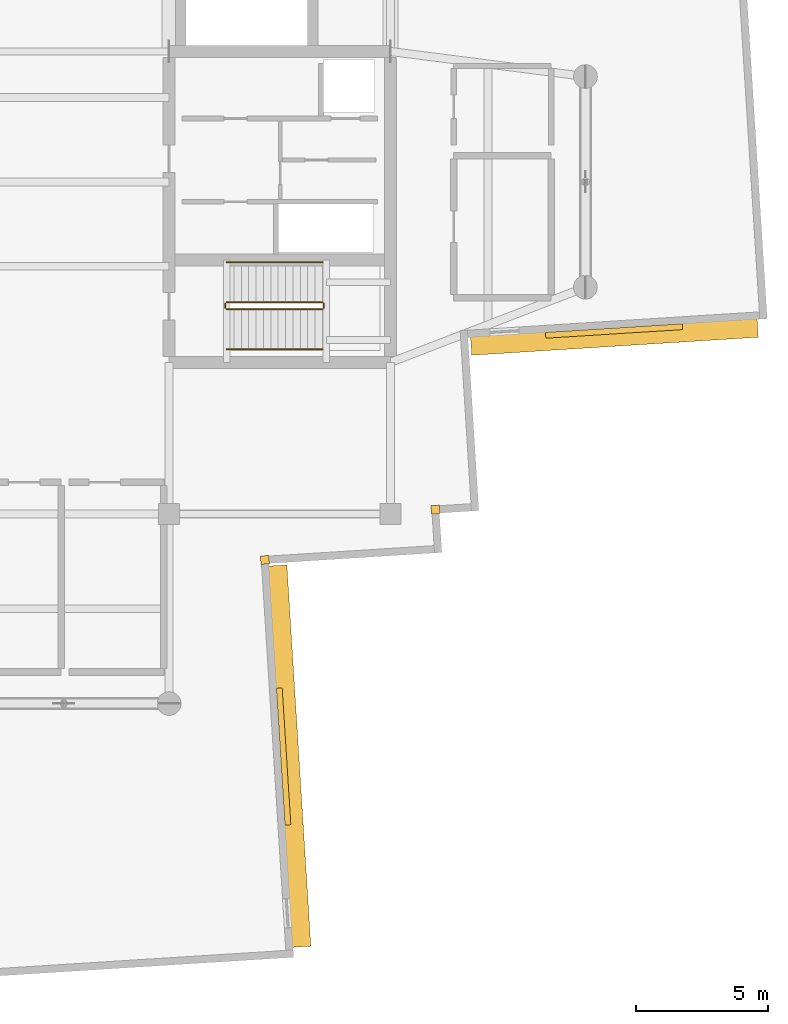
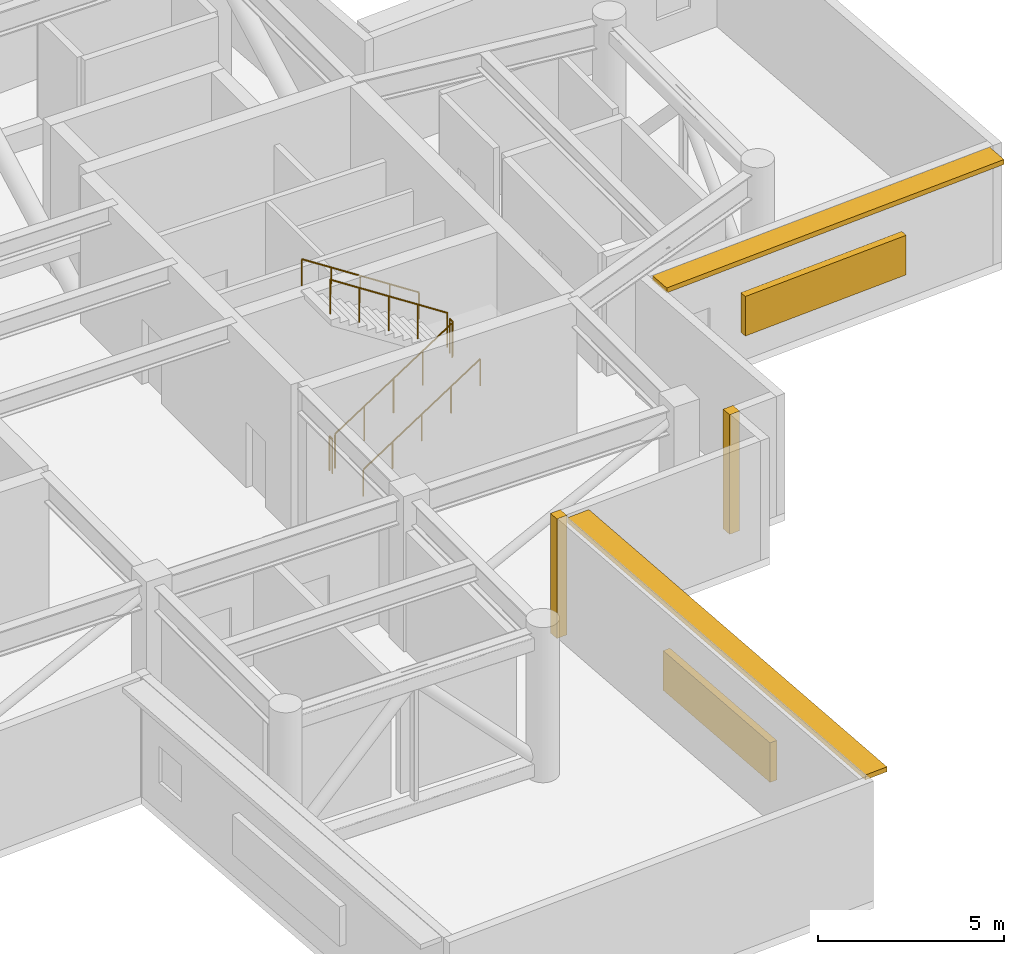
# One storey, part 12 of 14: 6 railings, 4 shading devices, 2 coverings.
"""IFC4 building model written with IfcOpenShell, lengths in metres."""

from ifc_helpers import new_model, si_unit, direction, frame, origin, origin_2d, place, context, subcontext, project, spatial, rectangle, circle, extrude, material, layer, layer_set, type_object, element, save


model = new_model("IFC4")

# Units and contexts
model_context = context("Model", 3, precision=1e-05, world=origin(), true_north=direction((0.0, 1.0)))
body_context = subcontext(model_context, "Body", "Model", "MODEL_VIEW")
ifc_project = project(units=[si_unit("LENGTHUNIT", "METRE"), si_unit("AREAUNIT", "SQUARE_METRE"), si_unit("VOLUMEUNIT", "CUBIC_METRE"), si_unit("PLANEANGLEUNIT", "RADIAN"), si_unit("MASSUNIT", "GRAM", prefix="KILO")], contexts=[model_context])

# Site, building, storey
site_placement = place(None, origin())
site = spatial("IfcSite", under=ifc_project, at=site_placement, CompositionType="ELEMENT")
building_placement = place(site_placement, origin())
building = spatial("IfcBuilding", under=site, at=building_placement, Name="Qingluan Cross Belvedere", CompositionType="ELEMENT")
storey_placement = place(building_placement, frame((0.0, 0.0, 288.89990234375)))
storey = spatial("IfcBuildingStorey", under=building, at=storey_placement, Name="L72", CompositionType="ELEMENT", Elevation=288.89990234375)

# Coverings
ifc_material_1 = material(Name="Precast concrete C45", Category="concrete")
ifc_layer_1 = layer(ifc_material_1, 0.1201171875, Name="ConcreteSpandrelCladding_120")
ifc_layer_set_1 = layer_set([ifc_layer_1], Name="Precast concrete C45")
covering_type = type_object("IfcCoveringType", Name="ConcreteSpandrelCladding_120", PredefinedType="CLADDING", material=ifc_layer_set_1)
for number, where, z_axis, x_axis, name in (
    (1, (14.10888671875, -12.438720703125, 0.0), (0.0, 0.0, 1.0), (0.998026728428, 0.062790519529, 0.0), "Corner closure L72-SE1"),
    (2, (7.635986328125, -14.348876953125, 0.0), (0.0, 0.0, 1.0), (0.998026728428, 0.062790519529, 0.0), "Corner closure L72-SE2"),
):
    element("IfcCovering", number, at=place(storey_placement, frame(where, z_axis=z_axis, x_axis=x_axis)), inside=storey, type_object=covering_type, Name=name, PredefinedType="CLADDING", context=body_context, shape_type="SweptSolid", body=[
        extrude(rectangle(XDim=0.320068359375, YDim=0.320068359375, at=origin_2d()), origin(), (0.0, 0.0, 1.0), 3.929931640625),
    ])

# Shading devices
ifc_material_2 = material(Name="Precast concrete C45", Category="concrete")
ifc_layer_2 = layer(ifc_material_2, 0.139892578125, Name="ConcreteSunshadeBand_700")
ifc_layer_set_2 = layer_set([ifc_layer_2], Name="Precast concrete C45")
shading_device_type_1 = type_object("IfcShadingDeviceType", Name="ConcreteSunshadeBand_700", PredefinedType="USERDEFINED", material=ifc_layer_set_2)
shading_device_1_placement = place(storey_placement, frame((20.901123046875, -5.88916015625, 3.75), z_axis=(0.0, 0.0, 1.0), x_axis=(0.99802715169, 0.062783791618, 0.0)))
element("IfcShadingDevice", 3, at=shading_device_1_placement, inside=storey, type_object=shading_device_type_1, Name="Concrete SUNSHADE L72-EA", ObjectType="SUNSHADE", PredefinedType="USERDEFINED", context=body_context, shape_type="SweptSolid", body=[
    extrude(rectangle(XDim=10.89990234375, YDim=0.699951171875, at=origin_2d()), origin(), (0.0, 0.0, 1.0), 0.159912109375),
])
shading_device_2_placement = place(storey_placement, frame((8.575439453125, -21.794677734375, 3.75), z_axis=(0.0, 0.0, 1.0), x_axis=(-0.062795866837, 0.99802639199, 0.0)))
element("IfcShadingDevice", 4, at=shading_device_2_placement, inside=storey, type_object=shading_device_type_1, Name="Concrete SUNSHADE L72-SB", ObjectType="SUNSHADE", PredefinedType="USERDEFINED", context=body_context, shape_type="SweptSolid", body=[
    extrude(rectangle(XDim=14.5, YDim=0.699951171875, at=origin_2d()), origin(), (0.0, 0.0, 1.0), 0.159912109375),
])
ifc_material_3 = material(Name="Anodised aluminium acoustic louvre screen", Category="aluminium")
ifc_layer_3 = layer(ifc_material_3, 0.219970703125, Name="RefugeAcousticLouvre_Screen")
ifc_layer_set_3 = layer_set([ifc_layer_3], Name="Anodised aluminium acoustic louvre screen")
shading_device_type_2 = type_object("IfcShadingDeviceType", Name="RefugeAcousticLouvre_Screen", PredefinedType="JALOUSIE", material=ifc_layer_set_3)
for number, where, z_axis, x_axis, name in (
    (5, (20.88671875, -5.65966796875, 0.9501953125), (0.0, 0.0, 1.0), (0.99802715169, 0.062783791618, 0.0), "Plant acoustic louvre SCREEN L72-EA"),
    (6, (8.345947265625, -21.80908203125, 0.9501953125), (0.0, 0.0, 1.0), (-0.062795866837, 0.99802639199, 0.0), "Plant acoustic louvre SCREEN L72-SB"),
):
    element("IfcShadingDevice", number, at=place(storey_placement, frame(where, z_axis=z_axis, x_axis=x_axis)), inside=storey, type_object=shading_device_type_2, Name=name, PredefinedType="JALOUSIE", context=body_context, shape_type="SweptSolid", body=[
        extrude(rectangle(XDim=5.199951171875, YDim=0.219970703125, at=origin_2d()), origin(), (0.0, 0.0, 1.0), 1.300048828125),
    ])

# Railings
ifc_material_4 = material(Name="Brushed stainless steel tubular handrail", Category="steel")
railing_type_1 = type_object("IfcRailingType", Name="StairPitchHandrail_900", PredefinedType="HANDRAIL", material=ifc_material_4)
railing_1_placement = place(storey_placement, frame((6.179931640625, -6.35009765625, 0.18212890625)))
element("IfcRailing", 7, at=railing_1_placement, inside=storey, type_object=railing_type_1, Name="L72 ST2 stair handrail 1", PredefinedType="HANDRAIL", context=body_context, shape_type="SweptSolid", body=[
    extrude(circle(Radius=0.02392578125, at=origin_2d()), frame((0.0, 0.0, 0.8759765625), z_axis=(0.83825089185, 0.0, 0.545284735081), x_axis=(0.0, 1.0, 0.0)), (0.0, 0.0, 1.0), 4.342529296875),
    extrude(circle(Radius=0.02099609375, at=origin_2d()), origin(), (0.0, 0.0, 1.0), 0.851806640625),
    extrude(circle(Radius=0.02099609375, at=origin_2d()), frame((0.91015625, 0.0, 0.592041015625)), (0.0, 0.0, 1.0), 0.851806640625),
    extrude(circle(Radius=0.02099609375, at=origin_2d()), frame((1.820068359375, 0.0, 1.18408203125)), (0.0, 0.0, 1.0), 0.851806640625),
    extrude(circle(Radius=0.02099609375, at=origin_2d()), frame((2.72998046875, 0.0, 1.77587890625)), (0.0, 0.0, 1.0), 0.851806640625),
    extrude(circle(Radius=0.02099609375, at=origin_2d()), frame((3.64013671875, 0.0, 2.367919921875)), (0.0, 0.0, 1.0), 0.851806640625),
])
railing_2_placement = place(storey_placement, frame((9.820068359375, -3.050048828125, 2.732177734375)))
element("IfcRailing", 8, at=railing_2_placement, inside=storey, type_object=railing_type_1, Name="L72 ST2 stair handrail 2", PredefinedType="HANDRAIL", context=body_context, shape_type="SweptSolid", body=[
    extrude(circle(Radius=0.02392578125, at=origin_2d()), frame((0.0, 0.0, 0.8759765625), z_axis=(-0.83825089185, 0.0, 0.545284735081), x_axis=(0.0, -1.0, 0.0)), (0.0, 0.0, 1.0), 4.342529296875),
    extrude(circle(Radius=0.02099609375, at=origin_2d()), origin(), (0.0, 0.0, 1.0), 0.851806640625),
    extrude(circle(Radius=0.02099609375, at=origin_2d()), frame((-0.91015625, 0.0, 0.592041015625)), (0.0, 0.0, 1.0), 0.851806640625),
    extrude(circle(Radius=0.02099609375, at=origin_2d()), frame((-1.820068359375, 0.0, 1.18408203125)), (0.0, 0.0, 1.0), 0.851806640625),
    extrude(circle(Radius=0.02099609375, at=origin_2d()), frame((-2.72998046875, 0.0, 1.77587890625)), (0.0, 0.0, 1.0), 0.851806640625),
    extrude(circle(Radius=0.02099609375, at=origin_2d()), frame((-3.64013671875, 0.0, 2.367919921875)), (0.0, 0.0, 1.0), 0.851806640625),
])
ifc_material_5 = material(Name="Painted steel stair well guard", Category="steel")
railing_type_2 = type_object("IfcRailingType", Name="StairWellGuard_1150", PredefinedType="BALUSTRADE", material=ifc_material_5)
railing_3_placement = place(storey_placement, frame((6.179931640625, -4.830078125, 0.18212890625)))
element("IfcRailing", 9, at=railing_3_placement, inside=storey, type_object=railing_type_2, Name="L72 ST2 stair guard 1", PredefinedType="BALUSTRADE", context=body_context, shape_type="SweptSolid", body=[
    extrude(circle(Radius=0.02392578125, at=origin_2d()), frame((0.0, 0.0, 1.1259765625), z_axis=(0.83825089185, 0.0, 0.545284735081), x_axis=(0.0, 1.0, 0.0)), (0.0, 0.0, 1.0), 4.342529296875),
    extrude(circle(Radius=0.02099609375, at=origin_2d()), origin(), (0.0, 0.0, 1.0), 1.101806640625),
    extrude(circle(Radius=0.02099609375, at=origin_2d()), frame((0.91015625, 0.0, 0.592041015625)), (0.0, 0.0, 1.0), 1.101806640625),
    extrude(circle(Radius=0.02099609375, at=origin_2d()), frame((1.820068359375, 0.0, 1.18408203125)), (0.0, 0.0, 1.0), 1.101806640625),
    extrude(circle(Radius=0.02099609375, at=origin_2d()), frame((2.72998046875, 0.0, 1.77587890625)), (0.0, 0.0, 1.0), 1.101806640625),
    extrude(circle(Radius=0.02099609375, at=origin_2d()), frame((3.64013671875, 0.0, 2.367919921875)), (0.0, 0.0, 1.0), 1.101806640625),
])
railing_4_placement = place(storey_placement, frame((9.8701171875, -4.780029296875, 2.550048828125)))
element("IfcRailing", 10, at=railing_4_placement, inside=storey, type_object=railing_type_2, Name="L72 ST2 stair guard 2", PredefinedType="BALUSTRADE", context=body_context, shape_type="SweptSolid", body=[
    extrude(circle(Radius=0.02392578125, at=origin_2d()), frame((0.0, 0.0, 1.1259765625), z_axis=(0.0, 1.0, 0.0), x_axis=(-1.0, 0.0, 0.0)), (0.0, 0.0, 1.0), 0.159912109375),
    extrude(circle(Radius=0.02099609375, at=origin_2d()), origin(), (0.0, 0.0, 1.0), 1.101806640625),
    extrude(circle(Radius=0.02099609375, at=origin_2d()), frame((0.0, 0.159912109375, 0.0)), (0.0, 0.0, 1.0), 1.101806640625),
])
railing_5_placement = place(storey_placement, frame((9.820068359375, -4.570068359375, 2.732177734375)))
element("IfcRailing", 11, at=railing_5_placement, inside=storey, type_object=railing_type_2, Name="L72 ST2 stair guard 3", PredefinedType="BALUSTRADE", context=body_context, shape_type="SweptSolid", body=[
    extrude(circle(Radius=0.02392578125, at=origin_2d()), frame((0.0, 0.0, 1.1259765625), z_axis=(-0.83825089185, 0.0, 0.545284735081), x_axis=(0.0, -1.0, 0.0)), (0.0, 0.0, 1.0), 4.342529296875),
    extrude(circle(Radius=0.02099609375, at=origin_2d()), origin(), (0.0, 0.0, 1.0), 1.101806640625),
    extrude(circle(Radius=0.02099609375, at=origin_2d()), frame((-0.91015625, 0.0, 0.592041015625)), (0.0, 0.0, 1.0), 1.101806640625),
    extrude(circle(Radius=0.02099609375, at=origin_2d()), frame((-1.820068359375, 0.0, 1.18408203125)), (0.0, 0.0, 1.0), 1.101806640625),
    extrude(circle(Radius=0.02099609375, at=origin_2d()), frame((-2.72998046875, 0.0, 1.77587890625)), (0.0, 0.0, 1.0), 1.101806640625),
    extrude(circle(Radius=0.02099609375, at=origin_2d()), frame((-3.64013671875, 0.0, 2.367919921875)), (0.0, 0.0, 1.0), 1.101806640625),
])
railing_6_placement = place(storey_placement, frame((6.1298828125, -4.780029296875, 0.0)))
element("IfcRailing", 12, at=railing_6_placement, inside=storey, type_object=railing_type_2, Name="L72 ST2 stair guard 4", PredefinedType="BALUSTRADE", context=body_context, shape_type="SweptSolid", body=[
    extrude(circle(Radius=0.02392578125, at=origin_2d()), frame((0.0, 0.0, 1.1259765625), z_axis=(0.0, 1.0, 0.0), x_axis=(-1.0, 0.0, 0.0)), (0.0, 0.0, 1.0), 0.159912109375),
    extrude(circle(Radius=0.02099609375, at=origin_2d()), origin(), (0.0, 0.0, 1.0), 1.101806640625),
    extrude(circle(Radius=0.02099609375, at=origin_2d()), frame((0.0, 0.159912109375, 0.0)), (0.0, 0.0, 1.0), 1.101806640625),
])

save(model, "model.ifc")
